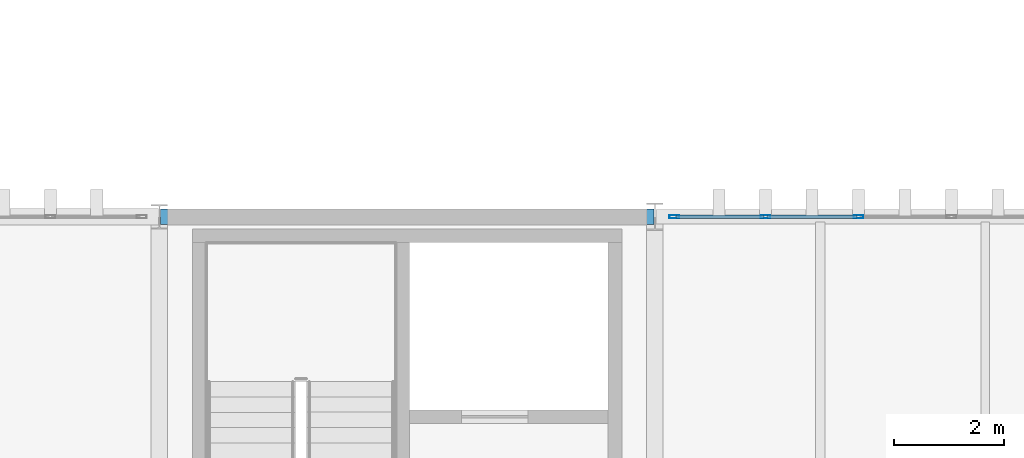
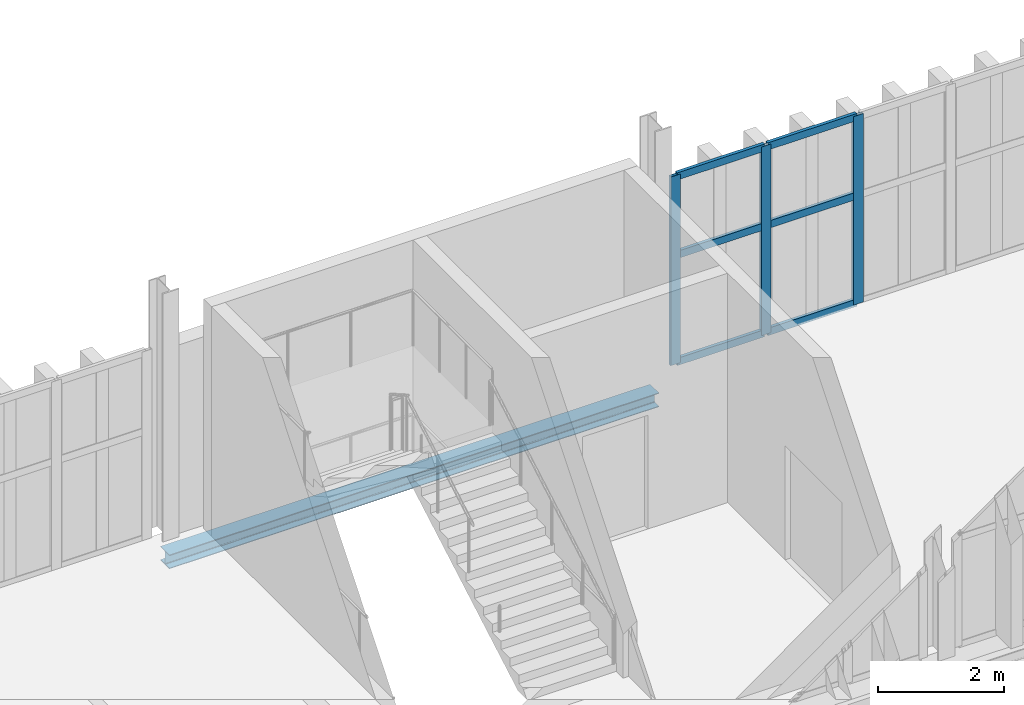
# One storey, part 147 of 196: 9 members, 1 beam, 1 element without a shape of its own.
"""IFC4 building model written with IfcOpenShell, lengths in metres."""

import ifcopenshell
import ifcopenshell.guid

model = None  # the IFC model being written
_history = None  # IfcOwnerHistory: only IFC2X3 demands one
_inside = {}  # id of a spatial element -> (the spatial element, [elements in it])
_under = {}  # id of a project, library or spatial element -> (it, [spatial elements below it])
_declared = {}  # id of a project -> (the project, [libraries it declares])
_typed = {}  # id of a type object -> (the type object, [elements of that type])
_made_of = {}  # id of a material, layer set ... -> (it, [elements and type objects made of it])


def new_model(schema):
    """Start an empty IFC model of exactly this schema.

    Asked for "IFC4X3", IfcOpenShell would pick the latest addendum, in which some entities
    have other attributes; the version numbers below select the first issue.
    IFC2X3 requires an IfcOwnerHistory on every rooted entity: one is made here for all.
    """
    global model, _history
    if schema == "IFC4X3":
        model = ifcopenshell.file(schema_version=(4, 3, 0, 0))
    else:
        model = ifcopenshell.file(schema=schema)
    _inside.clear()
    _under.clear()
    _declared.clear()
    _typed.clear()
    _made_of.clear()
    _history = None
    if model.schema == "IFC2X3":
        org = make("IfcOrganization", Name="unknown")
        user = make(
            "IfcPersonAndOrganization",
            ThePerson=make("IfcPerson", FamilyName="unknown"),
            TheOrganization=org,
        )
        app = make(
            "IfcApplication",
            ApplicationDeveloper=org,
            Version="unknown",
            ApplicationFullName="unknown",
            ApplicationIdentifier="unknown",
        )
        _history = make(
            "IfcOwnerHistory",
            OwningUser=user,
            OwningApplication=app,
            ChangeAction="ADDED",
            CreationDate=0,
        )
    return model


def make(cls, **values):
    """One entity of the class cls with the attributes given. An attribute that is None is left unset."""
    return model.create_entity(
        cls, **{name: value for name, value in values.items() if value is not None}
    )


def rooted(cls, **values):
    """An entity with a GlobalId (a new one), such as an element, a storey or a relation."""
    return make(cls, GlobalId=ifcopenshell.guid.new(), OwnerHistory=_history, **values)


def si_unit(unit_type, name, prefix=None):
    """IfcSIUnit, for example si_unit("LENGTHUNIT", "METRE", prefix="MILLI")."""
    return make("IfcSIUnit", UnitType=unit_type, Prefix=prefix, Name=name)


def assignment(units):
    """IfcUnitAssignment: the units of a project."""
    return None if units is None else make("IfcUnitAssignment", Units=units)


def point(xyz):
    """IfcCartesianPoint."""
    return None if xyz is None else make("IfcCartesianPoint", Coordinates=xyz)


def direction(xyz):
    """IfcDirection."""
    return None if xyz is None else make("IfcDirection", DirectionRatios=xyz)


def frame(location, z_axis=None, x_axis=None):
    """IfcAxis2Placement3D, a coordinate frame: its origin and axes. An axis left out is left unset."""
    return make(
        "IfcAxis2Placement3D",
        Location=point(location),
        Axis=direction(z_axis),
        RefDirection=direction(x_axis),
    )


def frame_2d(location, x_axis=None):
    """IfcAxis2Placement2D, a coordinate frame in the plane: its origin and x axis."""
    return make(
        "IfcAxis2Placement2D", Location=point(location), RefDirection=direction(x_axis)
    )


def origin():
    """The frame at (0, 0, 0) with its axes left unset."""
    return frame((0.0, 0.0, 0.0))


def origin_2d():
    """The frame at (0, 0) in the plane with its x axis left unset."""
    return frame_2d((0.0, 0.0))


def place(relative_to, where):
    """IfcLocalPlacement: puts the frame where relative to a parent placement (None: the world)."""
    return make(
        "IfcLocalPlacement", PlacementRelTo=relative_to, RelativePlacement=where
    )


def context(
    kind, dimensions, precision=None, world=None, true_north=None, identifier=None
):
    """IfcGeometricRepresentationContext, for example the 3D "Model" context."""
    return make(
        "IfcGeometricRepresentationContext",
        ContextIdentifier=identifier,
        ContextType=kind,
        CoordinateSpaceDimension=dimensions,
        Precision=precision,
        WorldCoordinateSystem=world,
        TrueNorth=true_north,
    )


def subcontext(parent, identifier, kind, view, scale=None):
    """IfcGeometricRepresentationSubContext, for example "Body" below "Model"."""
    return make(
        "IfcGeometricRepresentationSubContext",
        ContextIdentifier=identifier,
        ContextType=kind,
        ParentContext=parent,
        TargetScale=scale,
        TargetView=view,
    )


def project(units=None, contexts=None):
    """IfcProject with its units and contexts."""
    return rooted(
        "IfcProject",
        Name="project",
        RepresentationContexts=contexts,
        UnitsInContext=assignment(units),
    )


def spatial(cls, under=None, at=None, **own):
    """A site, building, storey or space (cls), placed at a placement, below another one or the project."""
    s = rooted(cls, ObjectPlacement=at, **own)
    if under is not None:
        _under.setdefault(under.id(), (under, []))[1].append(s)
    return s


def profile(cls, at=None, kind="AREA", **sizes):
    """A parametric profile (cls). Its sizes go by their IFC names, for example OverallWidth=200.0."""
    return make(cls, ProfileType=kind, Position=at, **sizes)


def hollow_rectangle(**sizes):
    """IfcRectangleHollowProfileDef."""
    return profile("IfcRectangleHollowProfileDef", **sizes)


def i_section(**sizes):
    """IfcIShapeProfileDef."""
    return profile("IfcIShapeProfileDef", **sizes)


def extrude(swept, where, along, depth):
    """IfcExtrudedAreaSolid: the profile swept, set in the frame where, extruded along a direction by depth."""
    return make(
        "IfcExtrudedAreaSolid",
        SweptArea=swept,
        Position=where,
        ExtrudedDirection=direction(along),
        Depth=depth,
    )


def shape(context_of_items, identifier, shape_type, items):
    """IfcShapeRepresentation: the items that make up one representation, for example the "Body"."""
    return make(
        "IfcShapeRepresentation",
        ContextOfItems=context_of_items,
        RepresentationIdentifier=identifier,
        RepresentationType=shape_type,
        Items=items,
    )


def material(Name=None, Category=None):
    """IfcMaterial."""
    return make("IfcMaterial", Name=Name, Category=Category)


def layer(
    of_material, thickness, ventilated=None, Name=None, Category=None, Priority=None
):
    """IfcMaterialLayer: one layer of a wall or slab, of a material (None: an air gap)."""
    return make(
        "IfcMaterialLayer",
        Material=of_material,
        LayerThickness=thickness,
        IsVentilated=ventilated,
        Name=Name,
        Category=Category,
        Priority=Priority,
    )


def layer_set(layers, Name=None):
    """IfcMaterialLayerSet."""
    return make("IfcMaterialLayerSet", MaterialLayers=layers, LayerSetName=Name)


def material_profile(
    of_material, cross_section, Name=None, Category=None, Priority=None
):
    """IfcMaterialProfile: a cross section and its material."""
    return make(
        "IfcMaterialProfile",
        Name=Name,
        Material=of_material,
        Profile=cross_section,
        Priority=Priority,
        Category=Category,
    )


def profile_set(profiles, Name=None, composite=None):
    """IfcMaterialProfileSet."""
    return make(
        "IfcMaterialProfileSet",
        Name=Name,
        MaterialProfiles=profiles,
        CompositeProfile=composite,
    )


def made_of(thing, what):
    """Note that an element or type object is made of a material, layer set ...; save() writes the relation."""
    if what is not None:
        _made_of.setdefault(what.id(), (what, []))[1].append(thing)
    return thing


def type_object(cls, material=None, **own):
    """A type object (cls), such as IfcWallType, which elements share."""
    return made_of(rooted(cls, **own), material)


def element(
    cls,
    number,
    at=None,
    inside=None,
    cuts=None,
    type_object=None,
    material=None,
    context=None,
    identifier="Body",
    shape_type=None,
    held_by="IfcProductDefinitionShape",
    body=None,
    shapes=None,
    **own,
):
    """One element of the class cls, such as IfcWall. Its Tag is "e" and its number.

    at: its placement. inside: the storey or other place that contains it. cuts: it is an
    opening in that element (IfcRelVoidsElement). A single representation is given by context,
    identifier, shape_type and body (its items); several are given by shapes. held_by: the class
    of the entity that holds the representations. save() writes the other relations.
    """
    e = rooted(cls, Tag="e%d" % number, ObjectPlacement=at, **own)
    if body is not None:
        shapes = [shape(context, identifier, shape_type, body)]
    if shapes is not None:
        e.Representation = make(held_by, Representations=shapes)
    if inside is not None:
        _inside.setdefault(inside.id(), (inside, []))[1].append(e)
    if cuts is not None:
        rooted(
            "IfcRelVoidsElement", RelatingBuildingElement=cuts, RelatedOpeningElement=e
        )
    if type_object is not None:
        _typed.setdefault(type_object.id(), (type_object, []))[1].append(e)
    return made_of(e, material)


def aggregate(whole, parts):
    """IfcRelAggregates: a whole, such as a stair, and the parts it consists of."""
    return rooted("IfcRelAggregates", RelatingObject=whole, RelatedObjects=parts)


def save(model, path):
    """Write the relations noted so far, then the file.

    IfcRelAggregates (storeys below a building ...), IfcRelContainedInSpatialStructure (elements
    in a storey), IfcRelDefinesByType, IfcRelAssociatesMaterial and IfcRelDeclares: one each for
    every whole, place, type object, material and project.
    """
    for whole, parts in _under.values():
        aggregate(whole, parts)
    for where, things in _inside.values():
        rooted(
            "IfcRelContainedInSpatialStructure",
            RelatedElements=things,
            RelatingStructure=where,
        )
    for kind, things in _typed.values():
        rooted("IfcRelDefinesByType", RelatedObjects=things, RelatingType=kind)
    for what, things in _made_of.values():
        rooted("IfcRelAssociatesMaterial", RelatedObjects=things, RelatingMaterial=what)
    for by, libraries in _declared.values():
        rooted("IfcRelDeclares", RelatingContext=by, RelatedDefinitions=libraries)
    model.write(path)


model = new_model("IFC4")

# Units and contexts
model_context = context("Model", 3, precision=1e-05, world=origin(), true_north=direction((0.0, 1.0)))
body_context = subcontext(model_context, "Body", "Model", "MODEL_VIEW")
ifc_project = project(units=[si_unit("LENGTHUNIT", "METRE"), si_unit("AREAUNIT", "SQUARE_METRE"), si_unit("VOLUMEUNIT", "CUBIC_METRE"), si_unit("PLANEANGLEUNIT", "RADIAN"), si_unit("MASSUNIT", "GRAM", prefix="KILO")], contexts=[model_context])

# Site, building, storey
site_placement = place(None, origin())
site = spatial("IfcSite", under=ifc_project, at=site_placement, CompositionType="ELEMENT")
building_placement = place(site_placement, origin())
building = spatial("IfcBuilding", under=site, at=building_placement, Name="Barlavento Convention Centre", CompositionType="ELEMENT")
storey_placement = place(building_placement, frame((0.0, 0.0, 18.0)))
storey = spatial("IfcBuildingStorey", under=building, at=storey_placement, Name="L03", CompositionType="ELEMENT", Elevation=18.0)

# Curtain wall, members
ifc_material_1 = material(Name="Powder-coated aluminium and Low-E glass", Category="aluminium")
ifc_layer = layer(ifc_material_1, 0.179931640625)
ifc_layer_set = layer_set([ifc_layer], Name="ARC-CW-CONF-L03")
curtain_wall_type = type_object("IfcCurtainWallType", Name="ARC-CW-CONF-L03", PredefinedType="NOTDEFINED", material=ifc_layer_set)
curtain_wall_placement = place(storey_placement, origin())
curtain_wall = element("IfcCurtainWall", 1, at=curtain_wall_placement, inside=storey, type_object=curtain_wall_type, Name="L03 unitised curtain wall CW08", PredefinedType="NOTDEFINED")
ifc_material_2 = material(Name="Powder-coated aluminium", Category="aluminium")
ifc_material_profile_1 = material_profile(ifc_material_2, hollow_rectangle(XDim=0.06005859375, YDim=0.179931640625, WallThickness=0.0048828125, at=origin_2d()), Name="AL-MULL 60x180x5")
ifc_profile_set_1 = profile_set([ifc_material_profile_1], Name="Powder-coated aluminium")
member_type_1 = type_object("IfcMemberType", Name="ARC-CWM-60X180", PredefinedType="MULLION", material=ifc_profile_set_1)
member_1_placement = place(storey_placement, frame((153.35009765625, 99.0, 0.0), z_axis=(0.0, 0.0, 1.0), x_axis=(0.0, 1.0, 0.0)))
member_1 = element("IfcMember", 2, at=member_1_placement, type_object=member_type_1, Name="CW08 mullion 1", PredefinedType="MULLION", context=body_context, shape_type="SweptSolid", body=[
    extrude(hollow_rectangle(XDim=0.06005859375, YDim=0.179931640625, WallThickness=0.0048828125, at=origin_2d()), origin(), (0.0, 0.0, 1.0), 3.64990234375),
])
member_2_placement = place(storey_placement, frame((155.008056640625, 99.0, 0.0), z_axis=(0.0, 0.0, 1.0), x_axis=(0.0, 1.0, 0.0)))
member_2 = element("IfcMember", 3, at=member_2_placement, type_object=member_type_1, Name="CW08 mullion 2", PredefinedType="MULLION", context=body_context, shape_type="SweptSolid", body=[
    extrude(hollow_rectangle(XDim=0.06005859375, YDim=0.179931640625, WallThickness=0.0048828125, at=origin_2d()), origin(), (0.0, 0.0, 1.0), 3.64990234375),
])
member_3_placement = place(storey_placement, frame((156.696044921875, 99.0, 0.0), z_axis=(0.0, 0.0, 1.0), x_axis=(0.0, 1.0, 0.0)))
member_3 = element("IfcMember", 4, at=member_3_placement, type_object=member_type_1, Name="CW08 mullion 3", PredefinedType="MULLION", context=body_context, shape_type="SweptSolid", body=[
    extrude(hollow_rectangle(XDim=0.06005859375, YDim=0.179931640625, WallThickness=0.0048828125, at=origin_2d()), origin(), (0.0, 0.0, 1.0), 3.64990234375),
])
ifc_material_profile_2 = material_profile(ifc_material_2, hollow_rectangle(XDim=0.06005859375, YDim=0.139892578125, WallThickness=0.00390625, at=origin_2d()), Name="AL-TRAN 60x140x4")
ifc_profile_set_2 = profile_set([ifc_material_profile_2], Name="Powder-coated aluminium")
member_type_2 = type_object("IfcMemberType", Name="ARC-CWT-60X140", PredefinedType="USERDEFINED", material=ifc_profile_set_2)
member_4_placement = place(storey_placement, frame((153.3798828125, 99.0, 0.030029296875), z_axis=(1.0, 0.0, 0.0), x_axis=(0.0, 1.0, 0.0)))
member_4 = element("IfcMember", 5, at=member_4_placement, type_object=member_type_2, Name="CW08 transom 1.1", ObjectType="TRANSOM", PredefinedType="USERDEFINED", context=body_context, shape_type="SweptSolid", body=[
    extrude(hollow_rectangle(XDim=0.06005859375, YDim=0.139892578125, WallThickness=0.00390625, at=origin_2d()), origin(), (0.0, 0.0, 1.0), 1.59814453125),
])
member_5_placement = place(storey_placement, frame((153.3798828125, 99.0, 2.10009765625), z_axis=(1.0, 0.0, 0.0), x_axis=(0.0, 1.0, 0.0)))
member_5 = element("IfcMember", 6, at=member_5_placement, type_object=member_type_2, Name="CW08 transom 1.2", ObjectType="TRANSOM", PredefinedType="USERDEFINED", context=body_context, shape_type="SweptSolid", body=[
    extrude(hollow_rectangle(XDim=0.06005859375, YDim=0.139892578125, WallThickness=0.00390625, at=origin_2d()), origin(), (0.0, 0.0, 1.0), 1.59814453125),
])
member_6_placement = place(storey_placement, frame((153.3798828125, 99.0, 3.6201171875), z_axis=(1.0, 0.0, 0.0), x_axis=(0.0, 1.0, 0.0)))
member_6 = element("IfcMember", 7, at=member_6_placement, type_object=member_type_2, Name="CW08 transom 1.3", ObjectType="TRANSOM", PredefinedType="USERDEFINED", context=body_context, shape_type="SweptSolid", body=[
    extrude(hollow_rectangle(XDim=0.06005859375, YDim=0.139892578125, WallThickness=0.00390625, at=origin_2d()), origin(), (0.0, 0.0, 1.0), 1.59814453125),
])
member_7_placement = place(storey_placement, frame((155.0380859375, 99.0, 0.030029296875), z_axis=(1.0, 0.0, 0.0), x_axis=(0.0, 1.0, 0.0)))
member_7 = element("IfcMember", 8, at=member_7_placement, type_object=member_type_2, Name="CW08 transom 2.1", ObjectType="TRANSOM", PredefinedType="USERDEFINED", context=body_context, shape_type="SweptSolid", body=[
    extrude(hollow_rectangle(XDim=0.06005859375, YDim=0.139892578125, WallThickness=0.00390625, at=origin_2d()), origin(), (0.0, 0.0, 1.0), 1.6279296875),
])
member_8_placement = place(storey_placement, frame((155.0380859375, 99.0, 2.10009765625), z_axis=(1.0, 0.0, 0.0), x_axis=(0.0, 1.0, 0.0)))
member_8 = element("IfcMember", 9, at=member_8_placement, type_object=member_type_2, Name="CW08 transom 2.2", ObjectType="TRANSOM", PredefinedType="USERDEFINED", context=body_context, shape_type="SweptSolid", body=[
    extrude(hollow_rectangle(XDim=0.06005859375, YDim=0.139892578125, WallThickness=0.00390625, at=origin_2d()), origin(), (0.0, 0.0, 1.0), 1.6279296875),
])
member_9_placement = place(storey_placement, frame((155.0380859375, 99.0, 3.6201171875), z_axis=(1.0, 0.0, 0.0), x_axis=(0.0, 1.0, 0.0)))
member_9 = element("IfcMember", 10, at=member_9_placement, type_object=member_type_2, Name="CW08 transom 2.3", ObjectType="TRANSOM", PredefinedType="USERDEFINED", context=body_context, shape_type="SweptSolid", body=[
    extrude(hollow_rectangle(XDim=0.06005859375, YDim=0.139892578125, WallThickness=0.00390625, at=origin_2d()), origin(), (0.0, 0.0, 1.0), 1.6279296875),
])
aggregate(curtain_wall, [member_1, member_2, member_3, member_4, member_5, member_6, member_7, member_8, member_9])

# Beam
ifc_material_3 = material(Name="Steel S355", Category="steel")
ifc_material_profile_3 = material_profile(ifc_material_3, i_section(OverallWidth=0.280029296875, OverallDepth=0.27001953125, WebThickness=0.008056640625, FlangeThickness=0.012939453125, FilletRadius=0.02392578125, at=origin_2d()), Name="HEA 280")
ifc_profile_set_3 = profile_set([ifc_material_profile_3], Name="Steel S355")
beam_type = type_object("IfcBeamType", Name="STR-BM-SPN-HEA280", PredefinedType="SPANDREL", material=ifc_profile_set_3)
beam_placement = place(storey_placement, frame((144.02001953125, 99.0, -0.4951171875), z_axis=(1.0, 0.0, 0.0), x_axis=(0.0, 1.0, 0.0)))
element("IfcBeam", 11, at=beam_placement, inside=storey, type_object=beam_type, Name="L03 primary girder SP03", PredefinedType="SPANDREL", context=body_context, shape_type="SweptSolid", body=[
    extrude(i_section(OverallWidth=0.280029296875, OverallDepth=0.27001953125, WebThickness=0.008056640625, FlangeThickness=0.012939453125, FilletRadius=0.02392578125, at=origin_2d()), origin(), (0.0, 0.0, 1.0), 8.9599609375),
])

save(model, "model.ifc")
